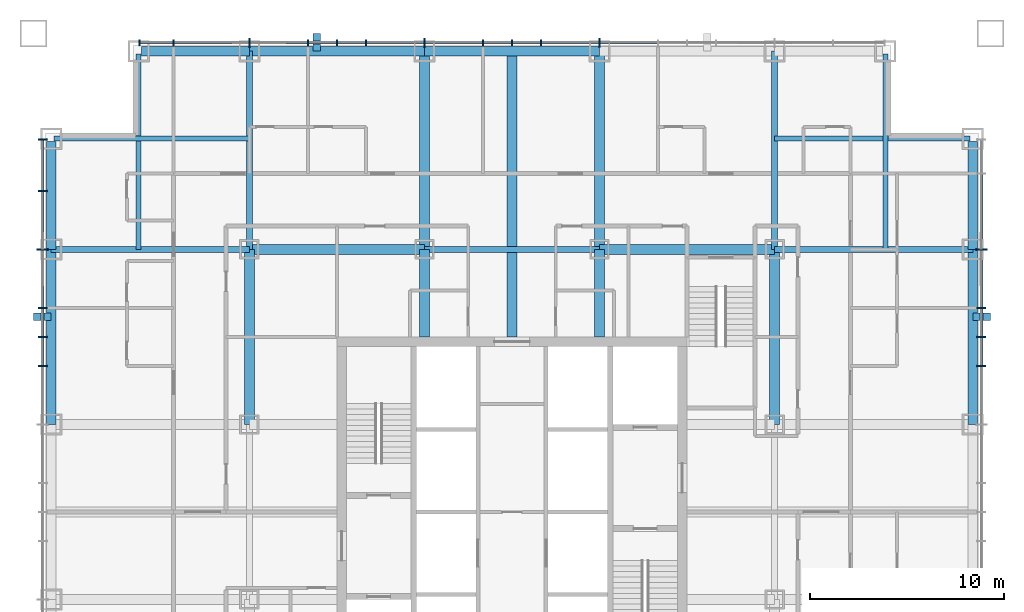
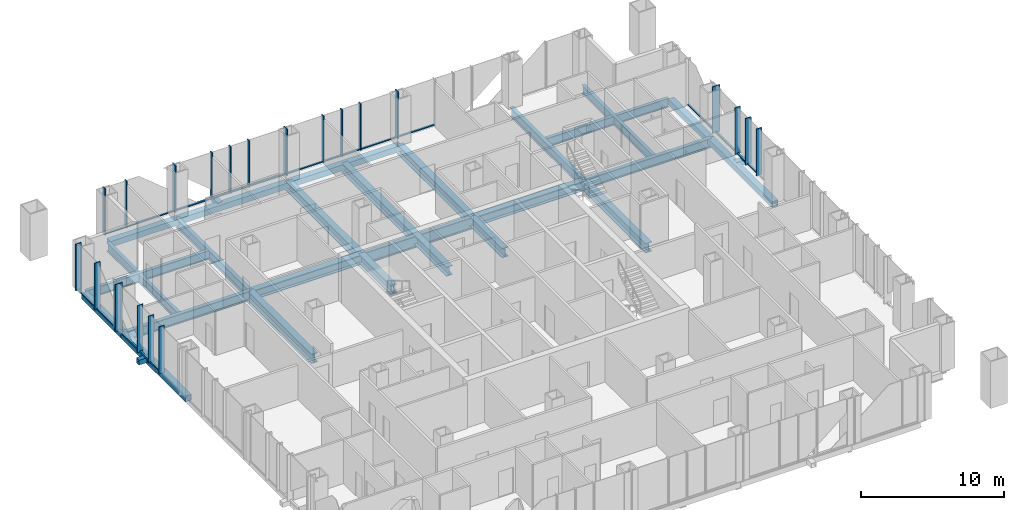
# One storey, part 5 of 14: 44 members, 25 beams, 3 elements without a shape of their own.
"""IFC4 building model written with IfcOpenShell, lengths in metres."""

from ifc_helpers import new_model, si_unit, direction, frame, origin, origin_2d, place, context, subcontext, project, spatial, rectangle, hollow_rectangle, i_section, extrude, material, layer, layer_set, material_profile, profile_set, type_object, element, aggregate, save


model = new_model("IFC4")

# Units and contexts
model_context = context("Model", 3, precision=1e-05, world=origin(), true_north=direction((0.0, 1.0)))
body_context = subcontext(model_context, "Body", "Model", "MODEL_VIEW")
ifc_project = project(units=[si_unit("LENGTHUNIT", "METRE"), si_unit("AREAUNIT", "SQUARE_METRE"), si_unit("VOLUMEUNIT", "CUBIC_METRE"), si_unit("PLANEANGLEUNIT", "RADIAN"), si_unit("MASSUNIT", "GRAM", prefix="KILO")], contexts=[model_context])

# Site, building, storey
site_placement = place(None, origin())
site = spatial("IfcSite", under=ifc_project, at=site_placement, CompositionType="ELEMENT")
building_placement = place(site_placement, origin())
building = spatial("IfcBuilding", under=site, at=building_placement, Name="Malebo Sky Hospital", CompositionType="ELEMENT")
storey_placement = place(building_placement, frame((0.0, 0.0, 128.0)))
storey = spatial("IfcBuildingStorey", under=building, at=storey_placement, Name="L30", CompositionType="ELEMENT", Elevation=128.0)

# Curtain wall, members
ifc_material_1 = material(Name="Anodised aluminium, natural silver", Category="aluminium")
ifc_layer_1 = layer(ifc_material_1, 0.25)
ifc_layer_set_1 = layer_set([ifc_layer_1], Name="WARD CURTAIN WALL NORTH AND SOUTH")
curtain_wall_type_1 = type_object("IfcCurtainWallType", Name="WARD CURTAIN WALL NORTH AND SOUTH", PredefinedType="NOTDEFINED", material=ifc_layer_set_1)
curtain_wall_1_placement = place(storey_placement, origin())
curtain_wall_1 = element("IfcCurtainWall", 1, at=curtain_wall_1_placement, inside=storey, type_object=curtain_wall_type_1, Name="NS curtain wall N", PredefinedType="NOTDEFINED")
ifc_material_profile_1 = material_profile(ifc_material_1, rectangle(XDim=0.14990234375, YDim=0.10009765625, at=origin_2d()), Name="ALUMINIUM TRANSOM 150x100")
ifc_profile_set_1 = profile_set([ifc_material_profile_1], Name="Anodised aluminium, natural silver")
member_type_1 = type_object("IfcMemberType", Name="ALUMINIUM TRANSOM 150x100", PredefinedType="USERDEFINED", material=ifc_profile_set_1)
member_1_placement = place(storey_placement, frame((40.875, 86.135009765625, 0.050048828125), z_axis=(1.0, 0.0, 0.0), x_axis=(0.0, 1.0, 0.0)))
member_1 = element("IfcMember", 2, at=member_1_placement, type_object=member_type_1, Name="Transom 1", ObjectType="TRANSOM", PredefinedType="USERDEFINED", context=body_context, shape_type="SweptSolid", body=[
    extrude(rectangle(XDim=0.14990234375, YDim=0.10009765625, at=origin_2d()), origin(), (0.0, 0.0, 1.0), 1.6875),
])
member_2_placement = place(storey_placement, frame((42.637451171875, 86.135009765625, 0.050048828125), z_axis=(1.0, 0.0, 0.0), x_axis=(0.0, 1.0, 0.0)))
member_2 = element("IfcMember", 3, at=member_2_placement, type_object=member_type_1, Name="Transom 2", ObjectType="TRANSOM", PredefinedType="USERDEFINED", context=body_context, shape_type="SweptSolid", body=[
    extrude(rectangle(XDim=0.14990234375, YDim=0.10009765625, at=origin_2d()), origin(), (0.0, 0.0, 1.0), 3.824951171875),
])
member_3_placement = place(storey_placement, frame((46.53759765625, 86.135009765625, 0.050048828125), z_axis=(1.0, 0.0, 0.0), x_axis=(0.0, 1.0, 0.0)))
member_3 = element("IfcMember", 4, at=member_3_placement, type_object=member_type_1, Name="Transom 3", ObjectType="TRANSOM", PredefinedType="USERDEFINED", context=body_context, shape_type="SweptSolid", body=[
    extrude(rectangle(XDim=0.14990234375, YDim=0.10009765625, at=origin_2d()), origin(), (0.0, 0.0, 1.0), 2.9248046875),
])
member_4_placement = place(storey_placement, frame((49.53759765625, 86.135009765625, 0.050048828125), z_axis=(1.0, 0.0, 0.0), x_axis=(0.0, 1.0, 0.0)))
member_4 = element("IfcMember", 5, at=member_4_placement, type_object=member_type_1, Name="Transom 4", ObjectType="TRANSOM", PredefinedType="USERDEFINED", context=body_context, shape_type="SweptSolid", body=[
    extrude(rectangle(XDim=0.14990234375, YDim=0.10009765625, at=origin_2d()), origin(), (0.0, 0.0, 1.0), 1.4248046875),
])
member_5_placement = place(storey_placement, frame((51.03759765625, 86.135009765625, 0.050048828125), z_axis=(1.0, 0.0, 0.0), x_axis=(0.0, 1.0, 0.0)))
member_5 = element("IfcMember", 6, at=member_5_placement, type_object=member_type_1, Name="Transom 5", ObjectType="TRANSOM", PredefinedType="USERDEFINED", context=body_context, shape_type="SweptSolid", body=[
    extrude(rectangle(XDim=0.14990234375, YDim=0.10009765625, at=origin_2d()), origin(), (0.0, 0.0, 1.0), 1.4248046875),
])
member_6_placement = place(storey_placement, frame((52.53759765625, 86.135009765625, 0.050048828125), z_axis=(1.0, 0.0, 0.0), x_axis=(0.0, 1.0, 0.0)))
member_6 = element("IfcMember", 7, at=member_6_placement, type_object=member_type_1, Name="Transom 6", ObjectType="TRANSOM", PredefinedType="USERDEFINED", context=body_context, shape_type="SweptSolid", body=[
    extrude(rectangle(XDim=0.14990234375, YDim=0.10009765625, at=origin_2d()), origin(), (0.0, 0.0, 1.0), 2.9248046875),
])
member_7_placement = place(storey_placement, frame((55.53759765625, 86.135009765625, 0.050048828125), z_axis=(1.0, 0.0, 0.0), x_axis=(0.0, 1.0, 0.0)))
member_7 = element("IfcMember", 8, at=member_7_placement, type_object=member_type_1, Name="Transom 7", ObjectType="TRANSOM", PredefinedType="USERDEFINED", context=body_context, shape_type="SweptSolid", body=[
    extrude(rectangle(XDim=0.14990234375, YDim=0.10009765625, at=origin_2d()), origin(), (0.0, 0.0, 1.0), 2.9248046875),
])
member_8_placement = place(storey_placement, frame((58.53759765625, 86.135009765625, 0.050048828125), z_axis=(1.0, 0.0, 0.0), x_axis=(0.0, 1.0, 0.0)))
member_8 = element("IfcMember", 9, at=member_8_placement, type_object=member_type_1, Name="Transom 8", ObjectType="TRANSOM", PredefinedType="USERDEFINED", context=body_context, shape_type="SweptSolid", body=[
    extrude(rectangle(XDim=0.14990234375, YDim=0.10009765625, at=origin_2d()), origin(), (0.0, 0.0, 1.0), 1.4248046875),
])
member_9_placement = place(storey_placement, frame((60.03759765625, 86.135009765625, 0.050048828125), z_axis=(1.0, 0.0, 0.0), x_axis=(0.0, 1.0, 0.0)))
member_9 = element("IfcMember", 10, at=member_9_placement, type_object=member_type_1, Name="Transom 9", ObjectType="TRANSOM", PredefinedType="USERDEFINED", context=body_context, shape_type="SweptSolid", body=[
    extrude(rectangle(XDim=0.14990234375, YDim=0.10009765625, at=origin_2d()), origin(), (0.0, 0.0, 1.0), 1.4248046875),
])
member_10_placement = place(storey_placement, frame((61.53759765625, 86.135009765625, 0.050048828125), z_axis=(1.0, 0.0, 0.0), x_axis=(0.0, 1.0, 0.0)))
member_10 = element("IfcMember", 11, at=member_10_placement, type_object=member_type_1, Name="Transom 10", ObjectType="TRANSOM", PredefinedType="USERDEFINED", context=body_context, shape_type="SweptSolid", body=[
    extrude(rectangle(XDim=0.14990234375, YDim=0.10009765625, at=origin_2d()), origin(), (0.0, 0.0, 1.0), 2.9248046875),
])
member_11_placement = place(storey_placement, frame((64.53759765625, 86.135009765625, 0.050048828125), z_axis=(1.0, 0.0, 0.0), x_axis=(0.0, 1.0, 0.0)))
member_11 = element("IfcMember", 12, at=member_11_placement, type_object=member_type_1, Name="Transom 11", ObjectType="TRANSOM", PredefinedType="USERDEFINED", context=body_context, shape_type="SweptSolid", body=[
    extrude(rectangle(XDim=0.14990234375, YDim=0.10009765625, at=origin_2d()), origin(), (0.0, 0.0, 1.0), 2.9248046875),
])

ifc_layer_2 = layer(ifc_material_1, 0.25)
ifc_layer_set_2 = layer_set([ifc_layer_2], Name="WARD CURTAIN WALL EAST AND WEST")
curtain_wall_type_2 = type_object("IfcCurtainWallType", Name="WARD CURTAIN WALL EAST AND WEST", PredefinedType="NOTDEFINED", material=ifc_layer_set_2)
curtain_wall_2_placement = place(storey_placement, origin())
curtain_wall_2 = element("IfcCurtainWall", 13, at=curtain_wall_2_placement, inside=storey, type_object=curtain_wall_type_2, Name="EW curtain wall W", PredefinedType="NOTDEFINED")
member_12_placement = place(storey_placement, frame((35.864990234375, 69.53759765625, 0.050048828125), z_axis=(0.0, 1.0, 0.0), x_axis=(-1.0, 0.0, 0.0)))
member_12 = element("IfcMember", 14, at=member_12_placement, type_object=member_type_1, Name="Transom 12", ObjectType="TRANSOM", PredefinedType="USERDEFINED", context=body_context, shape_type="SweptSolid", body=[
    extrude(rectangle(XDim=0.14990234375, YDim=0.10009765625, at=origin_2d()), origin(), (0.0, 0.0, 1.0), 1.4248046875),
])
member_13_placement = place(storey_placement, frame((35.864990234375, 71.03759765625, 0.050048828125), z_axis=(0.0, 1.0, 0.0), x_axis=(-1.0, 0.0, 0.0)))
member_13 = element("IfcMember", 15, at=member_13_placement, type_object=member_type_1, Name="Transom 13", ObjectType="TRANSOM", PredefinedType="USERDEFINED", context=body_context, shape_type="SweptSolid", body=[
    extrude(rectangle(XDim=0.14990234375, YDim=0.10009765625, at=origin_2d()), origin(), (0.0, 0.0, 1.0), 1.4248046875),
])
member_14_placement = place(storey_placement, frame((35.864990234375, 72.53759765625, 0.050048828125), z_axis=(0.0, 1.0, 0.0), x_axis=(-1.0, 0.0, 0.0)))
member_14 = element("IfcMember", 16, at=member_14_placement, type_object=member_type_1, Name="Transom 14", ObjectType="TRANSOM", PredefinedType="USERDEFINED", context=body_context, shape_type="SweptSolid", body=[
    extrude(rectangle(XDim=0.14990234375, YDim=0.10009765625, at=origin_2d()), origin(), (0.0, 0.0, 1.0), 2.9248046875),
])
member_15_placement = place(storey_placement, frame((35.864990234375, 75.53759765625, 0.050048828125), z_axis=(0.0, 1.0, 0.0), x_axis=(-1.0, 0.0, 0.0)))
member_15 = element("IfcMember", 17, at=member_15_placement, type_object=member_type_1, Name="Transom 15", ObjectType="TRANSOM", PredefinedType="USERDEFINED", context=body_context, shape_type="SweptSolid", body=[
    extrude(rectangle(XDim=0.14990234375, YDim=0.10009765625, at=origin_2d()), origin(), (0.0, 0.0, 1.0), 2.9248046875),
])
member_16_placement = place(storey_placement, frame((35.864990234375, 78.53759765625, 0.050048828125), z_axis=(0.0, 1.0, 0.0), x_axis=(-1.0, 0.0, 0.0)))
member_16 = element("IfcMember", 18, at=member_16_placement, type_object=member_type_1, Name="Transom 16", ObjectType="TRANSOM", PredefinedType="USERDEFINED", context=body_context, shape_type="SweptSolid", body=[
    extrude(rectangle(XDim=0.14990234375, YDim=0.10009765625, at=origin_2d()), origin(), (0.0, 0.0, 1.0), 2.58740234375),
])

curtain_wall_3_placement = place(storey_placement, origin())
curtain_wall_3 = element("IfcCurtainWall", 19, at=curtain_wall_3_placement, inside=storey, type_object=curtain_wall_type_2, Name="EW curtain wall E", PredefinedType="NOTDEFINED")
member_17_placement = place(storey_placement, frame((84.135009765625, 79.362548828125, 0.050048828125), z_axis=(0.0, -1.0, 0.0), x_axis=(1.0, 0.0, 0.0)))
member_17 = element("IfcMember", 20, at=member_17_placement, type_object=member_type_1, Name="Transom 2", ObjectType="TRANSOM", PredefinedType="USERDEFINED", context=body_context, shape_type="SweptSolid", body=[
    extrude(rectangle(XDim=0.14990234375, YDim=0.10009765625, at=origin_2d()), origin(), (0.0, 0.0, 1.0), 3.824951171875),
])
member_18_placement = place(storey_placement, frame((84.135009765625, 75.46240234375, 0.050048828125), z_axis=(0.0, -1.0, 0.0), x_axis=(1.0, 0.0, 0.0)))
member_18 = element("IfcMember", 21, at=member_18_placement, type_object=member_type_1, Name="Transom 3", ObjectType="TRANSOM", PredefinedType="USERDEFINED", context=body_context, shape_type="SweptSolid", body=[
    extrude(rectangle(XDim=0.14990234375, YDim=0.10009765625, at=origin_2d()), origin(), (0.0, 0.0, 1.0), 2.9248046875),
])
member_19_placement = place(storey_placement, frame((84.135009765625, 72.46240234375, 0.050048828125), z_axis=(0.0, -1.0, 0.0), x_axis=(1.0, 0.0, 0.0)))
member_19 = element("IfcMember", 22, at=member_19_placement, type_object=member_type_1, Name="Transom 4", ObjectType="TRANSOM", PredefinedType="USERDEFINED", context=body_context, shape_type="SweptSolid", body=[
    extrude(rectangle(XDim=0.14990234375, YDim=0.10009765625, at=origin_2d()), origin(), (0.0, 0.0, 1.0), 1.4248046875),
])
member_20_placement = place(storey_placement, frame((84.135009765625, 70.96240234375, 0.050048828125), z_axis=(0.0, -1.0, 0.0), x_axis=(1.0, 0.0, 0.0)))
member_20 = element("IfcMember", 23, at=member_20_placement, type_object=member_type_1, Name="Transom 5", ObjectType="TRANSOM", PredefinedType="USERDEFINED", context=body_context, shape_type="SweptSolid", body=[
    extrude(rectangle(XDim=0.14990234375, YDim=0.10009765625, at=origin_2d()), origin(), (0.0, 0.0, 1.0), 1.4248046875),
])

# Members
ifc_material_2 = material(Name="Steel S355", Category="steel")
ifc_material_profile_2 = material_profile(ifc_material_2, hollow_rectangle(XDim=0.39990234375, YDim=0.39990234375, WallThickness=0.02001953125, at=origin_2d()), Name="SHS 400x20")
ifc_profile_set_2 = profile_set([ifc_material_profile_2], Name="Steel S355")
member_type_2 = type_object("IfcMemberType", Name="BRACE STRUT SHS 400x20", PredefinedType="STRUT", material=ifc_profile_set_2)
for number, where, z_axis, x_axis, name in (
    (24, (49.959716796875, 86.60009765625, -0.39990234375), (0.0, -1.0, 0.0), (1.0, 0.0, 0.0), "Brace strut BN1 L30"),
    (25, (84.60009765625, 72.040283203125, -0.39990234375), (-1.0, 0.0, 0.0), (0.0, -1.0, 0.0), "Brace strut BE1 L30"),
    (26, (35.39990234375, 72.040283203125, -0.39990234375), (1.0, 0.0, 0.0), (0.0, 1.0, 0.0), "Brace strut BW2 L30"),
):
    element("IfcMember", number, at=place(storey_placement, frame(where, z_axis=z_axis, x_axis=x_axis)), inside=storey, type_object=member_type_2, Name=name, PredefinedType="STRUT", context=body_context, shape_type="SweptSolid", body=[
        extrude(hollow_rectangle(XDim=0.39990234375, YDim=0.39990234375, WallThickness=0.02001953125, at=origin_2d()), origin(), (0.0, 0.0, 1.0), 0.900146484375),
    ])

# Member
ifc_material_profile_3 = material_profile(ifc_material_1, rectangle(XDim=0.074951171875, YDim=0.300048828125, at=origin_2d()), Name="CW1 ALUMINIUM FIN MULLION 75x300")
ifc_profile_set_3 = profile_set([ifc_material_profile_3], Name="Anodised aluminium, natural silver")
member_type_3 = type_object("IfcMemberType", Name="CW1 ALUMINIUM FIN MULLION 75x300", PredefinedType="MULLION", material=ifc_profile_set_3)
member_21_placement = place(storey_placement, frame((40.83740234375, 86.135009765625, 0.0), z_axis=(0.0, 0.0, 1.0), x_axis=(1.0, 0.0, 0.0)))
member_21 = element("IfcMember", 27, at=member_21_placement, type_object=member_type_3, Name="Fin mullion 1", PredefinedType="MULLION", context=body_context, shape_type="SweptSolid", body=[
    extrude(rectangle(XDim=0.074951171875, YDim=0.300048828125, at=origin_2d()), origin(), (0.0, 0.0, 1.0), 4.0),
])

member_22_placement = place(storey_placement, frame((42.60009765625, 86.135009765625, 0.0), z_axis=(0.0, 0.0, 1.0), x_axis=(1.0, 0.0, 0.0)))
member_22 = element("IfcMember", 28, at=member_22_placement, type_object=member_type_3, Name="Fin mullion 2", PredefinedType="MULLION", context=body_context, shape_type="SweptSolid", body=[
    extrude(rectangle(XDim=0.074951171875, YDim=0.300048828125, at=origin_2d()), origin(), (0.0, 0.0, 1.0), 4.0),
])

member_23_placement = place(storey_placement, frame((49.5, 86.135009765625, 0.0), z_axis=(0.0, 0.0, 1.0), x_axis=(1.0, 0.0, 0.0)))
member_23 = element("IfcMember", 29, at=member_23_placement, type_object=member_type_3, Name="Fin mullion 4", PredefinedType="MULLION", context=body_context, shape_type="SweptSolid", body=[
    extrude(rectangle(XDim=0.074951171875, YDim=0.300048828125, at=origin_2d()), origin(), (0.0, 0.0, 1.0), 4.0),
])

member_24_placement = place(storey_placement, frame((51.0, 86.135009765625, 0.0), z_axis=(0.0, 0.0, 1.0), x_axis=(1.0, 0.0, 0.0)))
member_24 = element("IfcMember", 30, at=member_24_placement, type_object=member_type_3, Name="Fin mullion 5", PredefinedType="MULLION", context=body_context, shape_type="SweptSolid", body=[
    extrude(rectangle(XDim=0.074951171875, YDim=0.300048828125, at=origin_2d()), origin(), (0.0, 0.0, 1.0), 4.0),
])

member_25_placement = place(storey_placement, frame((52.5, 86.135009765625, 0.0), z_axis=(0.0, 0.0, 1.0), x_axis=(1.0, 0.0, 0.0)))
member_25 = element("IfcMember", 31, at=member_25_placement, type_object=member_type_3, Name="Fin mullion 6", PredefinedType="MULLION", context=body_context, shape_type="SweptSolid", body=[
    extrude(rectangle(XDim=0.074951171875, YDim=0.300048828125, at=origin_2d()), origin(), (0.0, 0.0, 1.0), 4.0),
])

member_26_placement = place(storey_placement, frame((58.5, 86.135009765625, 0.0), z_axis=(0.0, 0.0, 1.0), x_axis=(1.0, 0.0, 0.0)))
member_26 = element("IfcMember", 32, at=member_26_placement, type_object=member_type_3, Name="Fin mullion 8", PredefinedType="MULLION", context=body_context, shape_type="SweptSolid", body=[
    extrude(rectangle(XDim=0.074951171875, YDim=0.300048828125, at=origin_2d()), origin(), (0.0, 0.0, 1.0), 4.0),
])

member_27_placement = place(storey_placement, frame((60.0, 86.135009765625, 0.0), z_axis=(0.0, 0.0, 1.0), x_axis=(1.0, 0.0, 0.0)))
member_27 = element("IfcMember", 33, at=member_27_placement, type_object=member_type_3, Name="Fin mullion 9", PredefinedType="MULLION", context=body_context, shape_type="SweptSolid", body=[
    extrude(rectangle(XDim=0.074951171875, YDim=0.300048828125, at=origin_2d()), origin(), (0.0, 0.0, 1.0), 4.0),
])

member_28_placement = place(storey_placement, frame((61.5, 86.135009765625, 0.0), z_axis=(0.0, 0.0, 1.0), x_axis=(1.0, 0.0, 0.0)))
member_28 = element("IfcMember", 34, at=member_28_placement, type_object=member_type_3, Name="Fin mullion 10", PredefinedType="MULLION", context=body_context, shape_type="SweptSolid", body=[
    extrude(rectangle(XDim=0.074951171875, YDim=0.300048828125, at=origin_2d()), origin(), (0.0, 0.0, 1.0), 4.0),
])

ifc_material_profile_4 = material_profile(ifc_material_1, rectangle(XDim=0.074951171875, YDim=0.449951171875, at=origin_2d()), Name="CW1 ALUMINIUM FIN MULLION 75x450")
ifc_profile_set_4 = profile_set([ifc_material_profile_4], Name="Anodised aluminium, natural silver")
member_type_4 = type_object("IfcMemberType", Name="CW1 ALUMINIUM FIN MULLION 75x450", PredefinedType="MULLION", material=ifc_profile_set_4)
member_29_placement = place(storey_placement, frame((46.5, 86.135009765625, 0.0), z_axis=(0.0, 0.0, 1.0), x_axis=(1.0, 0.0, 0.0)))
member_29 = element("IfcMember", 35, at=member_29_placement, type_object=member_type_4, Name="Fin mullion 3", PredefinedType="MULLION", context=body_context, shape_type="SweptSolid", body=[
    extrude(rectangle(XDim=0.074951171875, YDim=0.449951171875, at=origin_2d()), origin(), (0.0, 0.0, 1.0), 4.0),
])

member_30_placement = place(storey_placement, frame((55.5, 86.135009765625, 0.0), z_axis=(0.0, 0.0, 1.0), x_axis=(1.0, 0.0, 0.0)))
member_30 = element("IfcMember", 36, at=member_30_placement, type_object=member_type_4, Name="Fin mullion 7", PredefinedType="MULLION", context=body_context, shape_type="SweptSolid", body=[
    extrude(rectangle(XDim=0.074951171875, YDim=0.449951171875, at=origin_2d()), origin(), (0.0, 0.0, 1.0), 4.0),
])

member_31_placement = place(storey_placement, frame((64.5, 86.135009765625, 0.0), z_axis=(0.0, 0.0, 1.0), x_axis=(1.0, 0.0, 0.0)))
member_31 = element("IfcMember", 37, at=member_31_placement, type_object=member_type_4, Name="Fin mullion 11", PredefinedType="MULLION", context=body_context, shape_type="SweptSolid", body=[
    extrude(rectangle(XDim=0.074951171875, YDim=0.449951171875, at=origin_2d()), origin(), (0.0, 0.0, 1.0), 4.0),
])

aggregate(curtain_wall_1, [member_21, member_22, member_29, member_23, member_24, member_25, member_30, member_26, member_27, member_28, member_31, member_1, member_2, member_3, member_4, member_5, member_6, member_7, member_8, member_9, member_10, member_11])

ifc_material_profile_5 = material_profile(ifc_material_1, rectangle(XDim=0.074951171875, YDim=0.449951171875, at=origin_2d()), Name="CW2 ALUMINIUM FIN MULLION 75x450")
ifc_profile_set_5 = profile_set([ifc_material_profile_5], Name="Anodised aluminium, natural silver")
member_type_5 = type_object("IfcMemberType", Name="CW2 ALUMINIUM FIN MULLION 75x450", PredefinedType="MULLION", material=ifc_profile_set_5)
member_32_placement = place(storey_placement, frame((35.864990234375, 69.5, 0.0), z_axis=(0.0, 0.0, 1.0), x_axis=(0.0, 1.0, 0.0)))
member_32 = element("IfcMember", 38, at=member_32_placement, type_object=member_type_5, Name="Fin mullion 12", PredefinedType="MULLION", context=body_context, shape_type="SweptSolid", body=[
    extrude(rectangle(XDim=0.074951171875, YDim=0.449951171875, at=origin_2d()), origin(), (0.0, 0.0, 1.0), 4.0),
])

member_33_placement = place(storey_placement, frame((35.864990234375, 71.0, 0.0), z_axis=(0.0, 0.0, 1.0), x_axis=(0.0, 1.0, 0.0)))
member_33 = element("IfcMember", 39, at=member_33_placement, type_object=member_type_5, Name="Fin mullion 13", PredefinedType="MULLION", context=body_context, shape_type="SweptSolid", body=[
    extrude(rectangle(XDim=0.074951171875, YDim=0.449951171875, at=origin_2d()), origin(), (0.0, 0.0, 1.0), 4.0),
])

member_34_placement = place(storey_placement, frame((35.864990234375, 72.5, 0.0), z_axis=(0.0, 0.0, 1.0), x_axis=(0.0, 1.0, 0.0)))
member_34 = element("IfcMember", 40, at=member_34_placement, type_object=member_type_5, Name="Fin mullion 14", PredefinedType="MULLION", context=body_context, shape_type="SweptSolid", body=[
    extrude(rectangle(XDim=0.074951171875, YDim=0.449951171875, at=origin_2d()), origin(), (0.0, 0.0, 1.0), 4.0),
])

member_35_placement = place(storey_placement, frame((35.864990234375, 78.5, 0.0), z_axis=(0.0, 0.0, 1.0), x_axis=(0.0, 1.0, 0.0)))
member_35 = element("IfcMember", 41, at=member_35_placement, type_object=member_type_5, Name="Fin mullion 16", PredefinedType="MULLION", context=body_context, shape_type="SweptSolid", body=[
    extrude(rectangle(XDim=0.074951171875, YDim=0.449951171875, at=origin_2d()), origin(), (0.0, 0.0, 1.0), 4.0),
])

member_36_placement = place(storey_placement, frame((35.864990234375, 81.16259765625, 0.0), z_axis=(0.0, 0.0, 1.0), x_axis=(0.0, 1.0, 0.0)))
member_36 = element("IfcMember", 42, at=member_36_placement, type_object=member_type_5, Name="Fin mullion 17", PredefinedType="MULLION", context=body_context, shape_type="SweptSolid", body=[
    extrude(rectangle(XDim=0.074951171875, YDim=0.449951171875, at=origin_2d()), origin(), (0.0, 0.0, 1.0), 4.0),
])

member_37_placement = place(storey_placement, frame((84.135009765625, 72.5, 0.0), z_axis=(0.0, 0.0, 1.0), x_axis=(0.0, -1.0, 0.0)))
member_37 = element("IfcMember", 43, at=member_37_placement, type_object=member_type_5, Name="Fin mullion 4", PredefinedType="MULLION", context=body_context, shape_type="SweptSolid", body=[
    extrude(rectangle(XDim=0.074951171875, YDim=0.449951171875, at=origin_2d()), origin(), (0.0, 0.0, 1.0), 4.0),
])

member_38_placement = place(storey_placement, frame((84.135009765625, 71.0, 0.0), z_axis=(0.0, 0.0, 1.0), x_axis=(0.0, -1.0, 0.0)))
member_38 = element("IfcMember", 44, at=member_38_placement, type_object=member_type_5, Name="Fin mullion 5", PredefinedType="MULLION", context=body_context, shape_type="SweptSolid", body=[
    extrude(rectangle(XDim=0.074951171875, YDim=0.449951171875, at=origin_2d()), origin(), (0.0, 0.0, 1.0), 4.0),
])

member_39_placement = place(storey_placement, frame((84.135009765625, 69.5, 0.0), z_axis=(0.0, 0.0, 1.0), x_axis=(0.0, -1.0, 0.0)))
member_39 = element("IfcMember", 45, at=member_39_placement, type_object=member_type_5, Name="Fin mullion 6", PredefinedType="MULLION", context=body_context, shape_type="SweptSolid", body=[
    extrude(rectangle(XDim=0.074951171875, YDim=0.449951171875, at=origin_2d()), origin(), (0.0, 0.0, 1.0), 4.0),
])

ifc_material_profile_6 = material_profile(ifc_material_1, rectangle(XDim=0.074951171875, YDim=0.60009765625, at=origin_2d()), Name="CW2 ALUMINIUM FIN MULLION 75x600")
ifc_profile_set_6 = profile_set([ifc_material_profile_6], Name="Anodised aluminium, natural silver")
member_type_6 = type_object("IfcMemberType", Name="CW2 ALUMINIUM FIN MULLION 75x600", PredefinedType="MULLION", material=ifc_profile_set_6)
member_40_placement = place(storey_placement, frame((35.864990234375, 75.5, 0.0), z_axis=(0.0, 0.0, 1.0), x_axis=(0.0, 1.0, 0.0)))
member_40 = element("IfcMember", 46, at=member_40_placement, type_object=member_type_6, Name="Fin mullion 15", PredefinedType="MULLION", context=body_context, shape_type="SweptSolid", body=[
    extrude(rectangle(XDim=0.074951171875, YDim=0.60009765625, at=origin_2d()), origin(), (0.0, 0.0, 1.0), 4.0),
])

aggregate(curtain_wall_2, [member_32, member_33, member_34, member_40, member_35, member_36, member_12, member_13, member_14, member_15, member_16])

member_41_placement = place(storey_placement, frame((84.135009765625, 75.5, 0.0), z_axis=(0.0, 0.0, 1.0), x_axis=(0.0, -1.0, 0.0)))
member_41 = element("IfcMember", 47, at=member_41_placement, type_object=member_type_6, Name="Fin mullion 3", PredefinedType="MULLION", context=body_context, shape_type="SweptSolid", body=[
    extrude(rectangle(XDim=0.074951171875, YDim=0.60009765625, at=origin_2d()), origin(), (0.0, 0.0, 1.0), 4.0),
])

aggregate(curtain_wall_3, [member_41, member_37, member_38, member_39, member_17, member_18, member_19, member_20])

# Beams
ifc_material_3 = material(Name="Steel S460", Category="steel")
ifc_material_profile_7 = material_profile(ifc_material_3, hollow_rectangle(XDim=0.5, YDim=0.5, WallThickness=0.030029296875, at=origin_2d()), Name="BOX 500x500x30")
ifc_profile_set_7 = profile_set([ifc_material_profile_7], Name="Steel S460")
beam_type_1 = type_object("IfcBeamType", Name="EDGE BEAM BOX 500x500x30", PredefinedType="BEAM", material=ifc_profile_set_7)
beam_1_placement = place(storey_placement, frame((36.300048828125, 66.5, -0.5), z_axis=(0.0, 1.0, 0.0), x_axis=(-1.0, 0.0, 0.0)))
element("IfcBeam", 48, at=beam_1_placement, inside=storey, type_object=beam_type_1, Name="Beam 003 L30", PredefinedType="BEAM", context=body_context, shape_type="SweptSolid", body=[
    extrude(hollow_rectangle(XDim=0.5, YDim=0.5, WallThickness=0.030029296875, at=origin_2d()), origin(), (0.0, 0.0, 1.0), 9.0),
])
beam_2_placement = place(storey_placement, frame((36.300048828125, 75.5, -0.5), z_axis=(0.0, 1.0, 0.0), x_axis=(-1.0, 0.0, 0.0)))
element("IfcBeam", 49, at=beam_2_placement, inside=storey, type_object=beam_type_1, Name="Beam 004 L30", PredefinedType="BEAM", context=body_context, shape_type="SweptSolid", body=[
    extrude(hollow_rectangle(XDim=0.5, YDim=0.5, WallThickness=0.030029296875, at=origin_2d()), origin(), (0.0, 0.0, 1.0), 5.550048828125),
])
beam_3_placement = place(storey_placement, frame((83.699951171875, 66.5, -0.5), z_axis=(0.0, 1.0, 0.0), x_axis=(-1.0, 0.0, 0.0)))
element("IfcBeam", 50, at=beam_3_placement, inside=storey, type_object=beam_type_1, Name="Beam 032 L30", PredefinedType="BEAM", context=body_context, shape_type="SweptSolid", body=[
    extrude(hollow_rectangle(XDim=0.5, YDim=0.5, WallThickness=0.030029296875, at=origin_2d()), origin(), (0.0, 0.0, 1.0), 9.0),
])
for number, where, z_axis, x_axis, name in (
    (51, (83.699951171875, 75.5, -0.5), (0.0, 1.0, 0.0), (-1.0, 0.0, 0.0), "Beam 033 L30"),
    (52, (40.949951171875, 85.699951171875, -0.5), (1.0, 0.0, 0.0), (0.0, 1.0, 0.0), "Beam 063 L30"),
):
    element("IfcBeam", number, at=place(storey_placement, frame(where, z_axis=z_axis, x_axis=x_axis)), inside=storey, type_object=beam_type_1, Name=name, PredefinedType="BEAM", context=body_context, shape_type="SweptSolid", body=[
        extrude(hollow_rectangle(XDim=0.5, YDim=0.5, WallThickness=0.030029296875, at=origin_2d()), origin(), (0.0, 0.0, 1.0), 5.550048828125),
    ])
for number, where, z_axis, x_axis, name in (
    (53, (46.5, 85.699951171875, -0.5), (1.0, 0.0, 0.0), (0.0, 1.0, 0.0), "Beam 064 L30"),
    (54, (55.5, 85.699951171875, -0.5), (1.0, 0.0, 0.0), (0.0, 1.0, 0.0), "Beam 065 L30"),
):
    element("IfcBeam", number, at=place(storey_placement, frame(where, z_axis=z_axis, x_axis=x_axis)), inside=storey, type_object=beam_type_1, Name=name, PredefinedType="BEAM", context=body_context, shape_type="SweptSolid", body=[
        extrude(hollow_rectangle(XDim=0.5, YDim=0.5, WallThickness=0.030029296875, at=origin_2d()), origin(), (0.0, 0.0, 1.0), 9.0),
    ])
ifc_material_profile_8 = material_profile(ifc_material_2, i_section(OverallWidth=0.262939453125, OverallDepth=0.7529296875, WebThickness=0.011474609375, FlangeThickness=0.01708984375, FilletRadius=0.01708984375, at=origin_2d()), Name="IPE 750x137")
ifc_profile_set_8 = profile_set([ifc_material_profile_8], Name="Steel S355")
beam_type_2 = type_object("IfcBeamType", Name="FLOOR BEAM IPE 750x137", PredefinedType="BEAM", material=ifc_profile_set_8)
for number, where, z_axis, x_axis, name in (
    (55, (40.800048828125, 75.5, -0.62646484375), (0.0, 1.0, 0.0), (-1.0, 0.0, 0.0), "Beam 006 L30"),
    (56, (79.199951171875, 75.5, -0.62646484375), (0.0, 1.0, 0.0), (-1.0, 0.0, 0.0), "Beam 028 L30"),
    (57, (36.449951171875, 81.199951171875, -0.62646484375), (1.0, 0.0, 0.0), (0.0, 1.0, 0.0), "Beam 061 L30"),
    (58, (73.5, 81.199951171875, -0.62646484375), (1.0, 0.0, 0.0), (0.0, 1.0, 0.0), "Beam 062 L30"),
):
    element("IfcBeam", number, at=place(storey_placement, frame(where, z_axis=z_axis, x_axis=x_axis)), inside=storey, type_object=beam_type_2, Name=name, PredefinedType="BEAM", context=body_context, shape_type="SweptSolid", body=[
        extrude(i_section(OverallWidth=0.262939453125, OverallDepth=0.7529296875, WebThickness=0.011474609375, FlangeThickness=0.01708984375, FilletRadius=0.01708984375, at=origin_2d()), origin(), (0.0, 0.0, 1.0), 10.050048828125),
    ])
ifc_material_profile_9 = material_profile(ifc_material_2, i_section(OverallWidth=0.5, OverallDepth=0.800048828125, WebThickness=0.030029296875, FlangeThickness=0.050048828125, at=origin_2d()), Name="PG 800x500x30x50")
ifc_profile_set_9 = profile_set([ifc_material_profile_9], Name="Steel S355")
beam_type_3 = type_object("IfcBeamType", Name="FLOOR BEAM PG 800x500x30x50", PredefinedType="BEAM", material=ifc_profile_set_9)
beam_4_placement = place(storey_placement, frame((46.5, 66.5, -0.64990234375), z_axis=(0.0, 1.0, 0.0), x_axis=(-1.0, 0.0, 0.0)))
element("IfcBeam", 59, at=beam_4_placement, inside=storey, type_object=beam_type_3, Name="Beam 010 L30", PredefinedType="BEAM", context=body_context, shape_type="SweptSolid", body=[
    extrude(i_section(OverallWidth=0.5, OverallDepth=0.800048828125, WebThickness=0.030029296875, FlangeThickness=0.050048828125, at=origin_2d()), origin(), (0.0, 0.0, 1.0), 9.0),
])
beam_5_placement = place(storey_placement, frame((55.5, 71.0, -0.64990234375), z_axis=(0.0, 1.0, 0.0), x_axis=(-1.0, 0.0, 0.0)))
element("IfcBeam", 60, at=beam_5_placement, inside=storey, type_object=beam_type_3, Name="Beam 014 L30", PredefinedType="BEAM", context=body_context, shape_type="SweptSolid", body=[
    extrude(i_section(OverallWidth=0.5, OverallDepth=0.800048828125, WebThickness=0.030029296875, FlangeThickness=0.050048828125, at=origin_2d()), origin(), (0.0, 0.0, 1.0), 4.5),
])
beam_6_placement = place(storey_placement, frame((55.5, 75.5, -0.64990234375), z_axis=(0.0, 1.0, 0.0), x_axis=(-1.0, 0.0, 0.0)))
element("IfcBeam", 61, at=beam_6_placement, inside=storey, type_object=beam_type_3, Name="Beam 015 L30", PredefinedType="BEAM", context=body_context, shape_type="SweptSolid", body=[
    extrude(i_section(OverallWidth=0.5, OverallDepth=0.800048828125, WebThickness=0.030029296875, FlangeThickness=0.050048828125, at=origin_2d()), origin(), (0.0, 0.0, 1.0), 10.199951171875),
])
beam_7_placement = place(storey_placement, frame((60.0, 71.0, -0.64990234375), z_axis=(0.0, 1.0, 0.0), x_axis=(-1.0, 0.0, 0.0)))
element("IfcBeam", 62, at=beam_7_placement, inside=storey, type_object=beam_type_3, Name="Beam 017 L30", PredefinedType="BEAM", context=body_context, shape_type="SweptSolid", body=[
    extrude(i_section(OverallWidth=0.5, OverallDepth=0.800048828125, WebThickness=0.030029296875, FlangeThickness=0.050048828125, at=origin_2d()), origin(), (0.0, 0.0, 1.0), 14.699951171875),
])
beam_8_placement = place(storey_placement, frame((64.5, 71.0, -0.64990234375), z_axis=(0.0, 1.0, 0.0), x_axis=(-1.0, 0.0, 0.0)))
element("IfcBeam", 63, at=beam_8_placement, inside=storey, type_object=beam_type_3, Name="Beam 020 L30", PredefinedType="BEAM", context=body_context, shape_type="SweptSolid", body=[
    extrude(i_section(OverallWidth=0.5, OverallDepth=0.800048828125, WebThickness=0.030029296875, FlangeThickness=0.050048828125, at=origin_2d()), origin(), (0.0, 0.0, 1.0), 4.5),
])
beam_9_placement = place(storey_placement, frame((64.5, 75.5, -0.64990234375), z_axis=(0.0, 1.0, 0.0), x_axis=(-1.0, 0.0, 0.0)))
element("IfcBeam", 64, at=beam_9_placement, inside=storey, type_object=beam_type_3, Name="Beam 021 L30", PredefinedType="BEAM", context=body_context, shape_type="SweptSolid", body=[
    extrude(i_section(OverallWidth=0.5, OverallDepth=0.800048828125, WebThickness=0.030029296875, FlangeThickness=0.050048828125, at=origin_2d()), origin(), (0.0, 0.0, 1.0), 10.199951171875),
])
for number, where, z_axis, x_axis, name in (
    (65, (73.5, 66.5, -0.64990234375), (0.0, 1.0, 0.0), (-1.0, 0.0, 0.0), "Beam 025 L30"),
    (66, (46.5, 75.5, -0.64990234375), (1.0, 0.0, 0.0), (0.0, 1.0, 0.0), "Beam 057 L30"),
    (67, (64.5, 75.5, -0.64990234375), (1.0, 0.0, 0.0), (0.0, 1.0, 0.0), "Beam 059 L30"),
):
    element("IfcBeam", number, at=place(storey_placement, frame(where, z_axis=z_axis, x_axis=x_axis)), inside=storey, type_object=beam_type_3, Name=name, PredefinedType="BEAM", context=body_context, shape_type="SweptSolid", body=[
        extrude(i_section(OverallWidth=0.5, OverallDepth=0.800048828125, WebThickness=0.030029296875, FlangeThickness=0.050048828125, at=origin_2d()), origin(), (0.0, 0.0, 1.0), 9.0),
    ])
ifc_material_profile_10 = material_profile(ifc_material_2, i_section(OverallWidth=0.300048828125, OverallDepth=0.800048828125, WebThickness=0.017578125, FlangeThickness=0.032958984375, FilletRadius=0.030029296875, at=origin_2d()), Name="HEB 800")
ifc_profile_set_10 = profile_set([ifc_material_profile_10], Name="Steel S355")
beam_type_4 = type_object("IfcBeamType", Name="FLOOR GIRDER HEB 800", PredefinedType="BEAM", material=ifc_profile_set_10)
for number, where, z_axis, x_axis, name in (
    (68, (46.5, 75.5, -0.64990234375), (0.0, 1.0, 0.0), (-1.0, 0.0, 0.0), "Beam 011 L30"),
    (69, (73.5, 75.5, -0.64990234375), (0.0, 1.0, 0.0), (-1.0, 0.0, 0.0), "Beam 026 L30"),
    (70, (36.300048828125, 75.5, -0.64990234375), (1.0, 0.0, 0.0), (0.0, 1.0, 0.0), "Beam 056 L30"),
    (71, (73.5, 75.5, -0.64990234375), (1.0, 0.0, 0.0), (0.0, 1.0, 0.0), "Beam 060 L30"),
):
    element("IfcBeam", number, at=place(storey_placement, frame(where, z_axis=z_axis, x_axis=x_axis)), inside=storey, type_object=beam_type_4, Name=name, PredefinedType="BEAM", context=body_context, shape_type="SweptSolid", body=[
        extrude(i_section(OverallWidth=0.300048828125, OverallDepth=0.800048828125, WebThickness=0.017578125, FlangeThickness=0.032958984375, FilletRadius=0.030029296875, at=origin_2d()), origin(), (0.0, 0.0, 1.0), 10.199951171875),
    ])
ifc_material_profile_11 = material_profile(ifc_material_2, i_section(OverallWidth=0.300048828125, OverallDepth=1.0, WebThickness=0.01904296875, FlangeThickness=0.035888671875, FilletRadius=0.030029296875, at=origin_2d()), Name="HEB 1000")
ifc_profile_set_11 = profile_set([ifc_material_profile_11], Name="Steel S355")
beam_type_5 = type_object("IfcBeamType", Name="RING GIRDER HEB 1000", PredefinedType="BEAM", material=ifc_profile_set_11)
beam_10_placement = place(storey_placement, frame((55.5, 75.5, -0.75), z_axis=(1.0, 0.0, 0.0), x_axis=(0.0, 1.0, 0.0)))
element("IfcBeam", 72, at=beam_10_placement, inside=storey, type_object=beam_type_5, Name="Beam 058 L30", PredefinedType="BEAM", context=body_context, shape_type="SweptSolid", body=[
    extrude(i_section(OverallWidth=0.300048828125, OverallDepth=1.0, WebThickness=0.01904296875, FlangeThickness=0.035888671875, FilletRadius=0.030029296875, at=origin_2d()), origin(), (0.0, 0.0, 1.0), 9.0),
])

save(model, "model.ifc")
